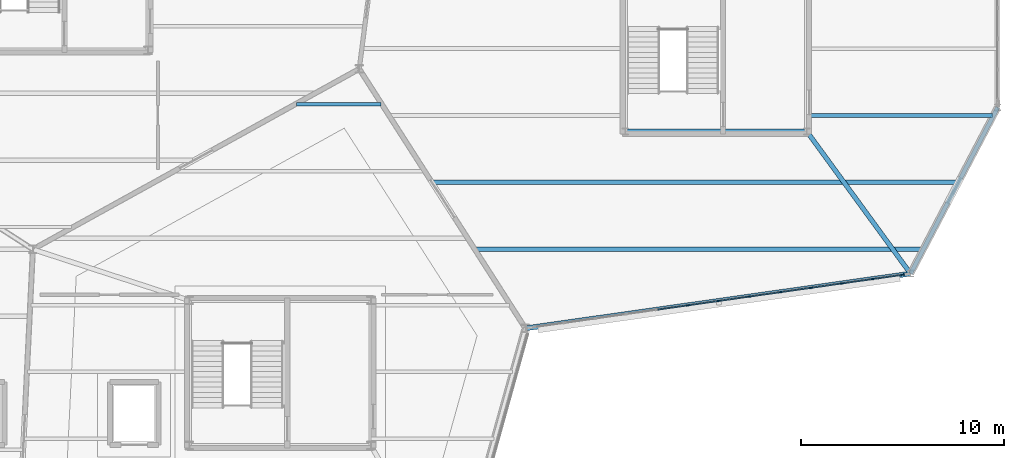
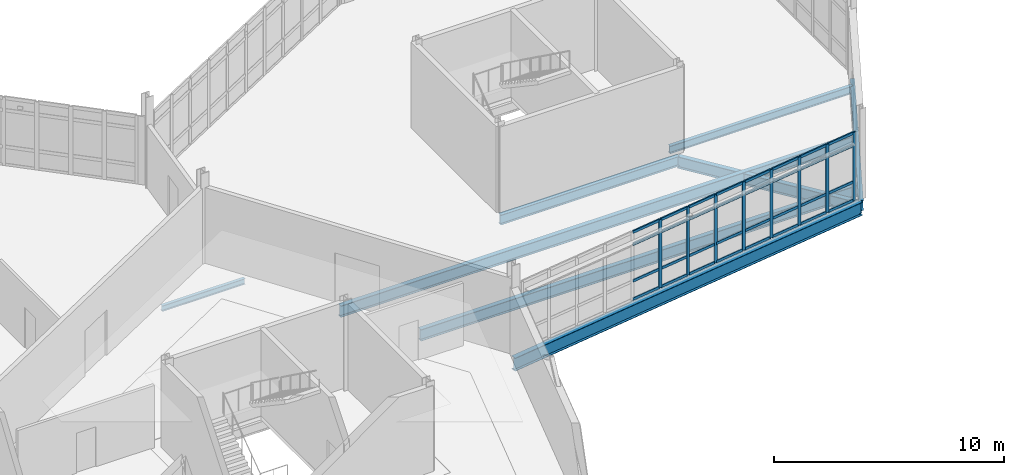
# One storey, part 77 of 134: 40 members, 8 beams, 1 element without a shape of its own.
"""IFC4 building model written with IfcOpenShell, lengths in metres."""

import ifcopenshell
import ifcopenshell.guid

model = None  # the IFC model being written
_history = None  # IfcOwnerHistory: only IFC2X3 demands one
_inside = {}  # id of a spatial element -> (the spatial element, [elements in it])
_under = {}  # id of a project, library or spatial element -> (it, [spatial elements below it])
_declared = {}  # id of a project -> (the project, [libraries it declares])
_typed = {}  # id of a type object -> (the type object, [elements of that type])
_made_of = {}  # id of a material, layer set ... -> (it, [elements and type objects made of it])


def new_model(schema):
    """Start an empty IFC model of exactly this schema.

    Asked for "IFC4X3", IfcOpenShell would pick the latest addendum, in which some entities
    have other attributes; the version numbers below select the first issue.
    IFC2X3 requires an IfcOwnerHistory on every rooted entity: one is made here for all.
    """
    global model, _history
    if schema == "IFC4X3":
        model = ifcopenshell.file(schema_version=(4, 3, 0, 0))
    else:
        model = ifcopenshell.file(schema=schema)
    _inside.clear()
    _under.clear()
    _declared.clear()
    _typed.clear()
    _made_of.clear()
    _history = None
    if model.schema == "IFC2X3":
        org = make("IfcOrganization", Name="unknown")
        user = make(
            "IfcPersonAndOrganization",
            ThePerson=make("IfcPerson", FamilyName="unknown"),
            TheOrganization=org,
        )
        app = make(
            "IfcApplication",
            ApplicationDeveloper=org,
            Version="unknown",
            ApplicationFullName="unknown",
            ApplicationIdentifier="unknown",
        )
        _history = make(
            "IfcOwnerHistory",
            OwningUser=user,
            OwningApplication=app,
            ChangeAction="ADDED",
            CreationDate=0,
        )
    return model


def make(cls, **values):
    """One entity of the class cls with the attributes given. An attribute that is None is left unset."""
    return model.create_entity(
        cls, **{name: value for name, value in values.items() if value is not None}
    )


def rooted(cls, **values):
    """An entity with a GlobalId (a new one), such as an element, a storey or a relation."""
    return make(cls, GlobalId=ifcopenshell.guid.new(), OwnerHistory=_history, **values)


def si_unit(unit_type, name, prefix=None):
    """IfcSIUnit, for example si_unit("LENGTHUNIT", "METRE", prefix="MILLI")."""
    return make("IfcSIUnit", UnitType=unit_type, Prefix=prefix, Name=name)


def assignment(units):
    """IfcUnitAssignment: the units of a project."""
    return None if units is None else make("IfcUnitAssignment", Units=units)


def point(xyz):
    """IfcCartesianPoint."""
    return None if xyz is None else make("IfcCartesianPoint", Coordinates=xyz)


def direction(xyz):
    """IfcDirection."""
    return None if xyz is None else make("IfcDirection", DirectionRatios=xyz)


def frame(location, z_axis=None, x_axis=None):
    """IfcAxis2Placement3D, a coordinate frame: its origin and axes. An axis left out is left unset."""
    return make(
        "IfcAxis2Placement3D",
        Location=point(location),
        Axis=direction(z_axis),
        RefDirection=direction(x_axis),
    )


def frame_2d(location, x_axis=None):
    """IfcAxis2Placement2D, a coordinate frame in the plane: its origin and x axis."""
    return make(
        "IfcAxis2Placement2D", Location=point(location), RefDirection=direction(x_axis)
    )


def origin():
    """The frame at (0, 0, 0) with its axes left unset."""
    return frame((0.0, 0.0, 0.0))


def origin_2d():
    """The frame at (0, 0) in the plane with its x axis left unset."""
    return frame_2d((0.0, 0.0))


def place(relative_to, where):
    """IfcLocalPlacement: puts the frame where relative to a parent placement (None: the world)."""
    return make(
        "IfcLocalPlacement", PlacementRelTo=relative_to, RelativePlacement=where
    )


def context(
    kind, dimensions, precision=None, world=None, true_north=None, identifier=None
):
    """IfcGeometricRepresentationContext, for example the 3D "Model" context."""
    return make(
        "IfcGeometricRepresentationContext",
        ContextIdentifier=identifier,
        ContextType=kind,
        CoordinateSpaceDimension=dimensions,
        Precision=precision,
        WorldCoordinateSystem=world,
        TrueNorth=true_north,
    )


def subcontext(parent, identifier, kind, view, scale=None):
    """IfcGeometricRepresentationSubContext, for example "Body" below "Model"."""
    return make(
        "IfcGeometricRepresentationSubContext",
        ContextIdentifier=identifier,
        ContextType=kind,
        ParentContext=parent,
        TargetScale=scale,
        TargetView=view,
    )


def project(units=None, contexts=None):
    """IfcProject with its units and contexts."""
    return rooted(
        "IfcProject",
        Name="project",
        RepresentationContexts=contexts,
        UnitsInContext=assignment(units),
    )


def spatial(cls, under=None, at=None, **own):
    """A site, building, storey or space (cls), placed at a placement, below another one or the project."""
    s = rooted(cls, ObjectPlacement=at, **own)
    if under is not None:
        _under.setdefault(under.id(), (under, []))[1].append(s)
    return s


def profile(cls, at=None, kind="AREA", **sizes):
    """A parametric profile (cls). Its sizes go by their IFC names, for example OverallWidth=200.0."""
    return make(cls, ProfileType=kind, Position=at, **sizes)


def rectangle(**sizes):
    """IfcRectangleProfileDef."""
    return profile("IfcRectangleProfileDef", **sizes)


def i_section(**sizes):
    """IfcIShapeProfileDef."""
    return profile("IfcIShapeProfileDef", **sizes)


def extrude(swept, where, along, depth):
    """IfcExtrudedAreaSolid: the profile swept, set in the frame where, extruded along a direction by depth."""
    return make(
        "IfcExtrudedAreaSolid",
        SweptArea=swept,
        Position=where,
        ExtrudedDirection=direction(along),
        Depth=depth,
    )


def shape(context_of_items, identifier, shape_type, items):
    """IfcShapeRepresentation: the items that make up one representation, for example the "Body"."""
    return make(
        "IfcShapeRepresentation",
        ContextOfItems=context_of_items,
        RepresentationIdentifier=identifier,
        RepresentationType=shape_type,
        Items=items,
    )


def material(Name=None, Category=None):
    """IfcMaterial."""
    return make("IfcMaterial", Name=Name, Category=Category)


def material_profile(
    of_material, cross_section, Name=None, Category=None, Priority=None
):
    """IfcMaterialProfile: a cross section and its material."""
    return make(
        "IfcMaterialProfile",
        Name=Name,
        Material=of_material,
        Profile=cross_section,
        Priority=Priority,
        Category=Category,
    )


def profile_set(profiles, Name=None, composite=None):
    """IfcMaterialProfileSet."""
    return make(
        "IfcMaterialProfileSet",
        Name=Name,
        MaterialProfiles=profiles,
        CompositeProfile=composite,
    )


def made_of(thing, what):
    """Note that an element or type object is made of a material, layer set ...; save() writes the relation."""
    if what is not None:
        _made_of.setdefault(what.id(), (what, []))[1].append(thing)
    return thing


def type_object(cls, material=None, **own):
    """A type object (cls), such as IfcWallType, which elements share."""
    return made_of(rooted(cls, **own), material)


def element(
    cls,
    number,
    at=None,
    inside=None,
    cuts=None,
    type_object=None,
    material=None,
    context=None,
    identifier="Body",
    shape_type=None,
    held_by="IfcProductDefinitionShape",
    body=None,
    shapes=None,
    **own,
):
    """One element of the class cls, such as IfcWall. Its Tag is "e" and its number.

    at: its placement. inside: the storey or other place that contains it. cuts: it is an
    opening in that element (IfcRelVoidsElement). A single representation is given by context,
    identifier, shape_type and body (its items); several are given by shapes. held_by: the class
    of the entity that holds the representations. save() writes the other relations.
    """
    e = rooted(cls, Tag="e%d" % number, ObjectPlacement=at, **own)
    if body is not None:
        shapes = [shape(context, identifier, shape_type, body)]
    if shapes is not None:
        e.Representation = make(held_by, Representations=shapes)
    if inside is not None:
        _inside.setdefault(inside.id(), (inside, []))[1].append(e)
    if cuts is not None:
        rooted(
            "IfcRelVoidsElement", RelatingBuildingElement=cuts, RelatedOpeningElement=e
        )
    if type_object is not None:
        _typed.setdefault(type_object.id(), (type_object, []))[1].append(e)
    return made_of(e, material)


def aggregate(whole, parts):
    """IfcRelAggregates: a whole, such as a stair, and the parts it consists of."""
    return rooted("IfcRelAggregates", RelatingObject=whole, RelatedObjects=parts)


def save(model, path):
    """Write the relations noted so far, then the file.

    IfcRelAggregates (storeys below a building ...), IfcRelContainedInSpatialStructure (elements
    in a storey), IfcRelDefinesByType, IfcRelAssociatesMaterial and IfcRelDeclares: one each for
    every whole, place, type object, material and project.
    """
    for whole, parts in _under.values():
        aggregate(whole, parts)
    for where, things in _inside.values():
        rooted(
            "IfcRelContainedInSpatialStructure",
            RelatedElements=things,
            RelatingStructure=where,
        )
    for kind, things in _typed.values():
        rooted("IfcRelDefinesByType", RelatedObjects=things, RelatingType=kind)
    for what, things in _made_of.values():
        rooted("IfcRelAssociatesMaterial", RelatedObjects=things, RelatingMaterial=what)
    for by, libraries in _declared.values():
        rooted("IfcRelDeclares", RelatingContext=by, RelatedDefinitions=libraries)
    model.write(path)


model = new_model("IFC4")

# Units and contexts
model_context = context("Model", 3, precision=1e-05, world=origin(), true_north=direction((0.0, 1.0)))
body_context = subcontext(model_context, "Body", "Model", "MODEL_VIEW")
ifc_project = project(units=[si_unit("LENGTHUNIT", "METRE"), si_unit("AREAUNIT", "SQUARE_METRE"), si_unit("VOLUMEUNIT", "CUBIC_METRE"), si_unit("PLANEANGLEUNIT", "RADIAN"), si_unit("MASSUNIT", "GRAM", prefix="KILO")], contexts=[model_context])

# Site, building, storey
site_placement = place(None, origin())
site = spatial("IfcSite", under=ifc_project, at=site_placement, CompositionType="ELEMENT")
building_placement = place(site_placement, origin())
building = spatial("IfcBuilding", under=site, at=building_placement, Name="Tameran Prism Museum", CompositionType="ELEMENT")
storey_placement = place(building_placement, frame((0.0, 0.0, 5.39990234375)))
storey = spatial("IfcBuildingStorey", under=building, at=storey_placement, Name="L01", CompositionType="ELEMENT", Elevation=5.39990234375)

# Beams
ifc_material_1 = material(Name="Steel Grade 300PLUS (300 MPa)", Category="steel")
ifc_material_profile_1 = material_profile(ifc_material_1, i_section(OverallWidth=0.1650390625, OverallDepth=0.303955078125, WebThickness=0.006103515625, FlangeThickness=0.01025390625, FilletRadius=0.011474609375, at=origin_2d()))
ifc_profile_set_1 = profile_set([ifc_material_profile_1])
beam_type_1 = type_object("IfcBeamType", Name="BM-J310B", PredefinedType="JOIST", material=ifc_profile_set_1)
beam_1_placement = place(storey_placement, frame((131.81689453125, 96.25, -0.351806640625), z_axis=(1.0, 0.0, 0.0), x_axis=(0.0, 1.0, 0.0)))
element("IfcBeam", 1, at=beam_1_placement, inside=storey, type_object=beam_type_1, Name="Floor Beam BM-0520", PredefinedType="JOIST", context=body_context, shape_type="SweptSolid", body=[
    extrude(i_section(OverallWidth=0.1650390625, OverallDepth=0.303955078125, WebThickness=0.006103515625, FlangeThickness=0.01025390625, FilletRadius=0.011474609375, at=origin_2d()), origin(), (0.0, 0.0, 1.0), 4.1572265625),
])
ifc_material_2 = material(Name="Steel Grade 300PLUS (300 MPa)", Category="steel")
ifc_material_profile_2 = material_profile(ifc_material_2, i_section(OverallWidth=0.177978515625, OverallDepth=0.403076171875, WebThickness=0.007568359375, FlangeThickness=0.010986328125, FilletRadius=0.011474609375, at=origin_2d()))
ifc_profile_set_2 = profile_set([ifc_material_profile_2])
beam_type_2 = type_object("IfcBeamType", Name="BM-J410B", PredefinedType="JOIST", material=ifc_profile_set_2)
beam_2_placement = place(storey_placement, frame((156.97998046875, 95.699951171875, -0.4013671875), z_axis=(1.0, 0.0, 0.0), x_axis=(0.0, 1.0, 0.0)))
element("IfcBeam", 2, at=beam_2_placement, inside=storey, type_object=beam_type_2, Name="Floor Beam BM-0533", PredefinedType="JOIST", context=body_context, shape_type="SweptSolid", body=[
    extrude(i_section(OverallWidth=0.177978515625, OverallDepth=0.403076171875, WebThickness=0.007568359375, FlangeThickness=0.010986328125, FilletRadius=0.011474609375, at=origin_2d()), origin(), (0.0, 0.0, 1.0), 9.1650390625),
])
ifc_material_3 = material(Name="Steel Grade 300PLUS (300 MPa)", Category="steel")
ifc_material_profile_3 = material_profile(ifc_material_3, i_section(OverallWidth=0.208984375, OverallDepth=0.532958984375, WebThickness=0.01025390625, FlangeThickness=0.015625, FilletRadius=0.013916015625, at=origin_2d()))
ifc_profile_set_3 = profile_set([ifc_material_profile_3])
beam_type_3 = type_object("IfcBeamType", Name="BM-SP530A", PredefinedType="SPANDREL", material=ifc_profile_set_3)
beam_3_placement = place(storey_placement, frame((162.10009765625, 87.89990234375, -0.46630859375), z_axis=(0.464385293852, 0.885633275602, 0.0), x_axis=(-0.885633275602, 0.464385293852, 0.0)))
element("IfcBeam", 3, at=beam_3_placement, inside=storey, type_object=beam_type_3, Name="Perimeter Spandrel SP-0341", PredefinedType="SPANDREL", context=body_context, shape_type="SweptSolid", body=[
    extrude(i_section(OverallWidth=0.208984375, OverallDepth=0.532958984375, WebThickness=0.01025390625, FlangeThickness=0.015625, FilletRadius=0.013916015625, at=origin_2d()), origin(), (0.0, 0.0, 1.0), 9.259033203125),
])
ifc_material_4 = material(Name="Steel Grade 300PLUS (300 MPa)", Category="steel")
ifc_material_profile_4 = material_profile(ifc_material_4, i_section(OverallWidth=0.208984375, OverallDepth=0.528076171875, WebThickness=0.009521484375, FlangeThickness=0.01318359375, FilletRadius=0.013916015625, at=origin_2d()))
ifc_profile_set_4 = profile_set([ifc_material_profile_4])
beam_type_4 = type_object("IfcBeamType", Name="BM-SP530B", PredefinedType="SPANDREL", material=ifc_profile_set_4)
beam_4_placement = place(storey_placement, frame((148.02001953125, 94.919921875, -0.50390625), z_axis=(1.0, 0.0, 0.0), x_axis=(0.0, 1.0, 0.0)))
element("IfcBeam", 4, at=beam_4_placement, inside=storey, type_object=beam_type_4, Name="Core Ring Beam CTB-0478", PredefinedType="SPANDREL", context=body_context, shape_type="SweptSolid", body=[
    extrude(i_section(OverallWidth=0.208984375, OverallDepth=0.528076171875, WebThickness=0.009521484375, FlangeThickness=0.01318359375, FilletRadius=0.013916015625, at=origin_2d()), origin(), (0.0, 0.0, 1.0), 8.9599609375),
])
ifc_material_5 = material(Name="Steel Grade 350 (350 MPa)", Category="steel")
ifc_material_profile_5 = material_profile(ifc_material_5, i_section(OverallWidth=0.25, OverallDepth=0.699951171875, WebThickness=0.010009765625, FlangeThickness=0.02001953125, at=origin_2d()))
ifc_profile_set_5 = profile_set([ifc_material_profile_5])
beam_type_5 = type_object("IfcBeamType", Name="BM-SP700", PredefinedType="SPANDREL", material=ifc_profile_set_5)
beam_5_placement = place(storey_placement, frame((143.10009765625, 85.199951171875, -0.5498046875), z_axis=(0.990053795421, 0.140689310798, 0.0), x_axis=(-0.140689310798, 0.990053795421, 0.0)))
element("IfcBeam", 5, at=beam_5_placement, inside=storey, type_object=beam_type_5, Name="Perimeter Spandrel SP-0340", PredefinedType="SPANDREL", context=body_context, shape_type="SweptSolid", body=[
    extrude(i_section(OverallWidth=0.25, OverallDepth=0.699951171875, WebThickness=0.010009765625, FlangeThickness=0.02001953125, at=origin_2d()), origin(), (0.0, 0.0, 1.0), 19.19091796875),
])
ifc_material_6 = material(Name="Steel Grade 300PLUS (300 MPa)", Category="steel")
ifc_material_profile_6 = material_profile(ifc_material_6, i_section(OverallWidth=0.22900390625, OverallDepth=0.612060546875, WebThickness=0.011962890625, FlangeThickness=0.01953125, FilletRadius=0.013916015625, at=origin_2d()))
ifc_profile_set_6 = profile_set([ifc_material_profile_6])
beam_type_6 = type_object("IfcBeamType", Name="BM-UB610A", PredefinedType="BEAM", material=ifc_profile_set_6)
beam_6_placement = place(storey_placement, frame((156.97998046875, 94.919921875, -0.559814453125), z_axis=(0.589273812412, -0.807933397011, 0.0), x_axis=(0.807933397011, 0.589273812412, 0.0)))
element("IfcBeam", 6, at=beam_6_placement, inside=storey, type_object=beam_type_6, Name="Frame Tie Girder FG-1429", PredefinedType="BEAM", context=body_context, shape_type="SweptSolid", body=[
    extrude(i_section(OverallWidth=0.22900390625, OverallDepth=0.612060546875, WebThickness=0.011962890625, FlangeThickness=0.01953125, FilletRadius=0.013916015625, at=origin_2d()), origin(), (0.0, 0.0, 1.0), 8.68896484375),
])
ifc_material_7 = material(Name="Steel Grade 300PLUS (300 MPa)", Category="steel")
ifc_material_profile_7 = material_profile(ifc_material_7, i_section(OverallWidth=0.22802734375, OverallDepth=0.60693359375, WebThickness=0.01123046875, FlangeThickness=0.017333984375, FilletRadius=0.013916015625, at=origin_2d()))
ifc_profile_set_7 = profile_set([ifc_material_profile_7])
beam_type_7 = type_object("IfcBeamType", Name="BM-UB610B", PredefinedType="BEAM", material=ifc_profile_set_7)
beam_7_placement = place(storey_placement, frame((140.64892578125, 89.10009765625, -0.50341796875), z_axis=(1.0, 0.0, 0.0), x_axis=(0.0, 1.0, 0.0)))
element("IfcBeam", 7, at=beam_7_placement, inside=storey, type_object=beam_type_7, Name="Floor Beam BM-0530", PredefinedType="BEAM", context=body_context, shape_type="SweptSolid", body=[
    extrude(i_section(OverallWidth=0.22802734375, OverallDepth=0.60693359375, WebThickness=0.01123046875, FlangeThickness=0.017333984375, FilletRadius=0.013916015625, at=origin_2d()), origin(), (0.0, 0.0, 1.0), 22.03515625),
])
beam_8_placement = place(storey_placement, frame((138.534912109375, 92.39990234375, -0.50341796875), z_axis=(1.0, 0.0, 0.0), x_axis=(0.0, 1.0, 0.0)))
element("IfcBeam", 8, at=beam_8_placement, inside=storey, type_object=beam_type_7, Name="Floor Beam BM-0531", PredefinedType="BEAM", context=body_context, shape_type="SweptSolid", body=[
    extrude(i_section(OverallWidth=0.22802734375, OverallDepth=0.60693359375, WebThickness=0.01123046875, FlangeThickness=0.017333984375, FilletRadius=0.013916015625, at=origin_2d()), origin(), (0.0, 0.0, 1.0), 25.880126953125),
])

# Curtain wall, members
ifc_material_8 = material(Name="Anodised Aluminium 6063-T6 and Cyclone Solar Glass", Category="aluminium")
curtain_wall_type = type_object("IfcCurtainWallType", Name="CW-FAC-1843x362", PredefinedType="USERDEFINED", material=ifc_material_8)
curtain_wall_placement = place(storey_placement, origin())
curtain_wall = element("IfcCurtainWall", 9, at=curtain_wall_placement, inside=storey, type_object=curtain_wall_type, Name="Unitised Curtain Wall CW-059", ObjectType="UNITISED CURTAIN WALL", PredefinedType="USERDEFINED")
ifc_material_9 = material(Name="Anodised Aluminium Alloy 6063-T6", Category="aluminium")
ifc_material_profile_8 = material_profile(ifc_material_9, rectangle(XDim=0.06494140625, YDim=0.159912109375, at=origin_2d()))
ifc_profile_set_8 = profile_set([ifc_material_profile_8])
member_type_1 = type_object("IfcMemberType", Name="CW-MUL-A", PredefinedType="MULLION", material=ifc_profile_set_8)
member_1_placement = place(storey_placement, frame((161.720703125, 87.846435546875, 0.0), z_axis=(0.0, 0.0, 1.0), x_axis=(0.1407452685, -0.990045842067, 0.0)))
member_1 = element("IfcMember", 10, at=member_1_placement, type_object=member_type_1, Name="CW-059 mullion 1", PredefinedType="MULLION", context=body_context, shape_type="SweptSolid", body=[
    extrude(rectangle(XDim=0.06494140625, YDim=0.159912109375, at=origin_2d()), origin(), (0.0, 0.0, 1.0), 3.6201171875),
])
member_2_placement = place(storey_placement, frame((160.232421875, 87.634765625, 0.0), z_axis=(0.0, 0.0, 1.0), x_axis=(0.1407452685, -0.990045842067, 0.0)))
member_2 = element("IfcMember", 11, at=member_2_placement, type_object=member_type_1, Name="CW-059 mullion 2", PredefinedType="MULLION", context=body_context, shape_type="SweptSolid", body=[
    extrude(rectangle(XDim=0.06494140625, YDim=0.159912109375, at=origin_2d()), origin(), (0.0, 0.0, 1.0), 3.6201171875),
])
member_3_placement = place(storey_placement, frame((158.7119140625, 87.418701171875, 0.0), z_axis=(0.0, 0.0, 1.0), x_axis=(0.1407452685, -0.990045842067, 0.0)))
member_3 = element("IfcMember", 12, at=member_3_placement, type_object=member_type_1, Name="CW-059 mullion 3", PredefinedType="MULLION", context=body_context, shape_type="SweptSolid", body=[
    extrude(rectangle(XDim=0.06494140625, YDim=0.159912109375, at=origin_2d()), origin(), (0.0, 0.0, 1.0), 3.6201171875),
])
member_4_placement = place(storey_placement, frame((157.191162109375, 87.202392578125, 0.0), z_axis=(0.0, 0.0, 1.0), x_axis=(0.1407452685, -0.990045842067, 0.0)))
member_4 = element("IfcMember", 13, at=member_4_placement, type_object=member_type_1, Name="CW-059 mullion 4", PredefinedType="MULLION", context=body_context, shape_type="SweptSolid", body=[
    extrude(rectangle(XDim=0.06494140625, YDim=0.159912109375, at=origin_2d()), origin(), (0.0, 0.0, 1.0), 3.6201171875),
])
member_5_placement = place(storey_placement, frame((155.670654296875, 86.986328125, 0.0), z_axis=(0.0, 0.0, 1.0), x_axis=(0.1407452685, -0.990045842067, 0.0)))
member_5 = element("IfcMember", 14, at=member_5_placement, type_object=member_type_1, Name="CW-059 mullion 5", PredefinedType="MULLION", context=body_context, shape_type="SweptSolid", body=[
    extrude(rectangle(XDim=0.06494140625, YDim=0.159912109375, at=origin_2d()), origin(), (0.0, 0.0, 1.0), 3.6201171875),
])
member_6_placement = place(storey_placement, frame((154.150146484375, 86.770263671875, 0.0), z_axis=(0.0, 0.0, 1.0), x_axis=(0.1407452685, -0.990045842067, 0.0)))
member_6 = element("IfcMember", 15, at=member_6_placement, type_object=member_type_1, Name="CW-059 mullion 6", PredefinedType="MULLION", context=body_context, shape_type="SweptSolid", body=[
    extrude(rectangle(XDim=0.06494140625, YDim=0.159912109375, at=origin_2d()), origin(), (0.0, 0.0, 1.0), 3.6201171875),
])
member_7_placement = place(storey_placement, frame((152.62939453125, 86.553955078125, 0.0), z_axis=(0.0, 0.0, 1.0), x_axis=(0.1407452685, -0.990045842067, 0.0)))
member_7 = element("IfcMember", 16, at=member_7_placement, type_object=member_type_1, Name="CW-059 mullion 7", PredefinedType="MULLION", context=body_context, shape_type="SweptSolid", body=[
    extrude(rectangle(XDim=0.06494140625, YDim=0.159912109375, at=origin_2d()), origin(), (0.0, 0.0, 1.0), 3.6201171875),
])
member_8_placement = place(storey_placement, frame((151.10888671875, 86.337890625, 0.0), z_axis=(0.0, 0.0, 1.0), x_axis=(0.1407452685, -0.990045842067, 0.0)))
member_8 = element("IfcMember", 17, at=member_8_placement, type_object=member_type_1, Name="CW-059 mullion 8", PredefinedType="MULLION", context=body_context, shape_type="SweptSolid", body=[
    extrude(rectangle(XDim=0.06494140625, YDim=0.159912109375, at=origin_2d()), origin(), (0.0, 0.0, 1.0), 3.6201171875),
])
ifc_material_10 = material(Name="Anodised Aluminium Alloy 6063-T6", Category="aluminium")
ifc_material_profile_9 = material_profile(ifc_material_10, rectangle(XDim=0.06494140625, YDim=0.139892578125, at=origin_2d()))
ifc_profile_set_9 = profile_set([ifc_material_profile_9])
member_type_2 = type_object("IfcMemberType", Name="CW-TRN-A", PredefinedType="USERDEFINED", material=ifc_profile_set_9)
member_9_placement = place(storey_placement, frame((161.688720703125, 87.841796875, 0.03271484375), z_axis=(-0.990051076629, -0.140708442058, 0.0), x_axis=(0.140708442058, -0.990051076629, 0.0)))
member_9 = element("IfcMember", 18, at=member_9_placement, type_object=member_type_2, Name="CW-059 transom 1.1", ObjectType="TRANSOM", PredefinedType="USERDEFINED", context=body_context, shape_type="SweptSolid", body=[
    extrude(rectangle(XDim=0.06494140625, YDim=0.139892578125, at=origin_2d()), origin(), (0.0, 0.0, 1.0), 1.4384765625),
])
member_10_placement = place(storey_placement, frame((161.688720703125, 87.841796875, 1.0), z_axis=(-0.990051076629, -0.140708442058, 0.0), x_axis=(0.140708442058, -0.990051076629, 0.0)))
member_10 = element("IfcMember", 19, at=member_10_placement, type_object=member_type_2, Name="CW-059 transom 1.2", ObjectType="TRANSOM", PredefinedType="USERDEFINED", context=body_context, shape_type="SweptSolid", body=[
    extrude(rectangle(XDim=0.06494140625, YDim=0.139892578125, at=origin_2d()), origin(), (0.0, 0.0, 1.0), 1.4384765625),
])
member_11_placement = place(storey_placement, frame((161.688720703125, 87.841796875, 2.940185546875), z_axis=(-0.990051076629, -0.140708442058, 0.0), x_axis=(0.140708442058, -0.990051076629, 0.0)))
member_11 = element("IfcMember", 20, at=member_11_placement, type_object=member_type_2, Name="CW-059 transom 1.3", ObjectType="TRANSOM", PredefinedType="USERDEFINED", context=body_context, shape_type="SweptSolid", body=[
    extrude(rectangle(XDim=0.06494140625, YDim=0.139892578125, at=origin_2d()), origin(), (0.0, 0.0, 1.0), 1.4384765625),
])
member_12_placement = place(storey_placement, frame((161.688720703125, 87.841796875, 3.587646484375), z_axis=(-0.990051076629, -0.140708442058, 0.0), x_axis=(0.140708442058, -0.990051076629, 0.0)))
member_12 = element("IfcMember", 21, at=member_12_placement, type_object=member_type_2, Name="CW-059 transom 1.4", ObjectType="TRANSOM", PredefinedType="USERDEFINED", context=body_context, shape_type="SweptSolid", body=[
    extrude(rectangle(XDim=0.06494140625, YDim=0.139892578125, at=origin_2d()), origin(), (0.0, 0.0, 1.0), 1.4384765625),
])
member_13_placement = place(storey_placement, frame((160.2001953125, 87.63037109375, 0.03271484375), z_axis=(-0.990045530264, -0.140747461804, 0.0), x_axis=(0.140747461804, -0.990045530264, 0.0)))
member_13 = element("IfcMember", 22, at=member_13_placement, type_object=member_type_2, Name="CW-059 transom 2.1", ObjectType="TRANSOM", PredefinedType="USERDEFINED", context=body_context, shape_type="SweptSolid", body=[
    extrude(rectangle(XDim=0.06494140625, YDim=0.139892578125, at=origin_2d()), origin(), (0.0, 0.0, 1.0), 1.470947265625),
])
member_14_placement = place(storey_placement, frame((160.2001953125, 87.63037109375, 1.0), z_axis=(-0.990045530264, -0.140747461804, 0.0), x_axis=(0.140747461804, -0.990045530264, 0.0)))
member_14 = element("IfcMember", 23, at=member_14_placement, type_object=member_type_2, Name="CW-059 transom 2.2", ObjectType="TRANSOM", PredefinedType="USERDEFINED", context=body_context, shape_type="SweptSolid", body=[
    extrude(rectangle(XDim=0.06494140625, YDim=0.139892578125, at=origin_2d()), origin(), (0.0, 0.0, 1.0), 1.470947265625),
])
member_15_placement = place(storey_placement, frame((160.2001953125, 87.63037109375, 2.940185546875), z_axis=(-0.990045530264, -0.140747461804, 0.0), x_axis=(0.140747461804, -0.990045530264, 0.0)))
member_15 = element("IfcMember", 24, at=member_15_placement, type_object=member_type_2, Name="CW-059 transom 2.3", ObjectType="TRANSOM", PredefinedType="USERDEFINED", context=body_context, shape_type="SweptSolid", body=[
    extrude(rectangle(XDim=0.06494140625, YDim=0.139892578125, at=origin_2d()), origin(), (0.0, 0.0, 1.0), 1.470947265625),
])
member_16_placement = place(storey_placement, frame((160.2001953125, 87.63037109375, 3.587646484375), z_axis=(-0.990045530264, -0.140747461804, 0.0), x_axis=(0.140747461804, -0.990045530264, 0.0)))
member_16 = element("IfcMember", 25, at=member_16_placement, type_object=member_type_2, Name="CW-059 transom 2.4", ObjectType="TRANSOM", PredefinedType="USERDEFINED", context=body_context, shape_type="SweptSolid", body=[
    extrude(rectangle(XDim=0.06494140625, YDim=0.139892578125, at=origin_2d()), origin(), (0.0, 0.0, 1.0), 1.470947265625),
])
member_17_placement = place(storey_placement, frame((158.6796875, 87.4140625, 0.03271484375), z_axis=(-0.990045530264, -0.140747461804, 0.0), x_axis=(0.140747461804, -0.990045530264, 0.0)))
member_17 = element("IfcMember", 26, at=member_17_placement, type_object=member_type_2, Name="CW-059 transom 3.1", ObjectType="TRANSOM", PredefinedType="USERDEFINED", context=body_context, shape_type="SweptSolid", body=[
    extrude(rectangle(XDim=0.06494140625, YDim=0.139892578125, at=origin_2d()), origin(), (0.0, 0.0, 1.0), 1.470947265625),
])
member_18_placement = place(storey_placement, frame((158.6796875, 87.4140625, 1.0), z_axis=(-0.990045530264, -0.140747461804, 0.0), x_axis=(0.140747461804, -0.990045530264, 0.0)))
member_18 = element("IfcMember", 27, at=member_18_placement, type_object=member_type_2, Name="CW-059 transom 3.2", ObjectType="TRANSOM", PredefinedType="USERDEFINED", context=body_context, shape_type="SweptSolid", body=[
    extrude(rectangle(XDim=0.06494140625, YDim=0.139892578125, at=origin_2d()), origin(), (0.0, 0.0, 1.0), 1.470947265625),
])
member_19_placement = place(storey_placement, frame((158.6796875, 87.4140625, 2.940185546875), z_axis=(-0.990045530264, -0.140747461804, 0.0), x_axis=(0.140747461804, -0.990045530264, 0.0)))
member_19 = element("IfcMember", 28, at=member_19_placement, type_object=member_type_2, Name="CW-059 transom 3.3", ObjectType="TRANSOM", PredefinedType="USERDEFINED", context=body_context, shape_type="SweptSolid", body=[
    extrude(rectangle(XDim=0.06494140625, YDim=0.139892578125, at=origin_2d()), origin(), (0.0, 0.0, 1.0), 1.470947265625),
])
member_20_placement = place(storey_placement, frame((158.6796875, 87.4140625, 3.587646484375), z_axis=(-0.990045530264, -0.140747461804, 0.0), x_axis=(0.140747461804, -0.990045530264, 0.0)))
member_20 = element("IfcMember", 29, at=member_20_placement, type_object=member_type_2, Name="CW-059 transom 3.4", ObjectType="TRANSOM", PredefinedType="USERDEFINED", context=body_context, shape_type="SweptSolid", body=[
    extrude(rectangle(XDim=0.06494140625, YDim=0.139892578125, at=origin_2d()), origin(), (0.0, 0.0, 1.0), 1.470947265625),
])
member_21_placement = place(storey_placement, frame((157.1591796875, 87.197998046875, 0.03271484375), z_axis=(-0.990045530264, -0.140747461804, 0.0), x_axis=(0.140747461804, -0.990045530264, 0.0)))
member_21 = element("IfcMember", 30, at=member_21_placement, type_object=member_type_2, Name="CW-059 transom 4.1", ObjectType="TRANSOM", PredefinedType="USERDEFINED", context=body_context, shape_type="SweptSolid", body=[
    extrude(rectangle(XDim=0.06494140625, YDim=0.139892578125, at=origin_2d()), origin(), (0.0, 0.0, 1.0), 1.470947265625),
])
member_22_placement = place(storey_placement, frame((157.1591796875, 87.197998046875, 1.0), z_axis=(-0.990045530264, -0.140747461804, 0.0), x_axis=(0.140747461804, -0.990045530264, 0.0)))
member_22 = element("IfcMember", 31, at=member_22_placement, type_object=member_type_2, Name="CW-059 transom 4.2", ObjectType="TRANSOM", PredefinedType="USERDEFINED", context=body_context, shape_type="SweptSolid", body=[
    extrude(rectangle(XDim=0.06494140625, YDim=0.139892578125, at=origin_2d()), origin(), (0.0, 0.0, 1.0), 1.470947265625),
])
member_23_placement = place(storey_placement, frame((157.1591796875, 87.197998046875, 2.940185546875), z_axis=(-0.990045530264, -0.140747461804, 0.0), x_axis=(0.140747461804, -0.990045530264, 0.0)))
member_23 = element("IfcMember", 32, at=member_23_placement, type_object=member_type_2, Name="CW-059 transom 4.3", ObjectType="TRANSOM", PredefinedType="USERDEFINED", context=body_context, shape_type="SweptSolid", body=[
    extrude(rectangle(XDim=0.06494140625, YDim=0.139892578125, at=origin_2d()), origin(), (0.0, 0.0, 1.0), 1.470947265625),
])
member_24_placement = place(storey_placement, frame((157.1591796875, 87.197998046875, 3.587646484375), z_axis=(-0.990045530264, -0.140747461804, 0.0), x_axis=(0.140747461804, -0.990045530264, 0.0)))
member_24 = element("IfcMember", 33, at=member_24_placement, type_object=member_type_2, Name="CW-059 transom 4.4", ObjectType="TRANSOM", PredefinedType="USERDEFINED", context=body_context, shape_type="SweptSolid", body=[
    extrude(rectangle(XDim=0.06494140625, YDim=0.139892578125, at=origin_2d()), origin(), (0.0, 0.0, 1.0), 1.470947265625),
])
member_25_placement = place(storey_placement, frame((155.638427734375, 86.981689453125, 0.03271484375), z_axis=(-0.990042241498, -0.140770593694, 0.0), x_axis=(0.140770593694, -0.990042241498, 0.0)))
member_25 = element("IfcMember", 34, at=member_25_placement, type_object=member_type_2, Name="CW-059 transom 5.1", ObjectType="TRANSOM", PredefinedType="USERDEFINED", context=body_context, shape_type="SweptSolid", body=[
    extrude(rectangle(XDim=0.06494140625, YDim=0.139892578125, at=origin_2d()), origin(), (0.0, 0.0, 1.0), 1.470703125),
])
member_26_placement = place(storey_placement, frame((155.638427734375, 86.981689453125, 1.0), z_axis=(-0.990042241498, -0.140770593694, 0.0), x_axis=(0.140770593694, -0.990042241498, 0.0)))
member_26 = element("IfcMember", 35, at=member_26_placement, type_object=member_type_2, Name="CW-059 transom 5.2", ObjectType="TRANSOM", PredefinedType="USERDEFINED", context=body_context, shape_type="SweptSolid", body=[
    extrude(rectangle(XDim=0.06494140625, YDim=0.139892578125, at=origin_2d()), origin(), (0.0, 0.0, 1.0), 1.470703125),
])
member_27_placement = place(storey_placement, frame((155.638427734375, 86.981689453125, 2.940185546875), z_axis=(-0.990042241498, -0.140770593694, 0.0), x_axis=(0.140770593694, -0.990042241498, 0.0)))
member_27 = element("IfcMember", 36, at=member_27_placement, type_object=member_type_2, Name="CW-059 transom 5.3", ObjectType="TRANSOM", PredefinedType="USERDEFINED", context=body_context, shape_type="SweptSolid", body=[
    extrude(rectangle(XDim=0.06494140625, YDim=0.139892578125, at=origin_2d()), origin(), (0.0, 0.0, 1.0), 1.470703125),
])
member_28_placement = place(storey_placement, frame((155.638427734375, 86.981689453125, 3.587646484375), z_axis=(-0.990042241498, -0.140770593694, 0.0), x_axis=(0.140770593694, -0.990042241498, 0.0)))
member_28 = element("IfcMember", 37, at=member_28_placement, type_object=member_type_2, Name="CW-059 transom 5.4", ObjectType="TRANSOM", PredefinedType="USERDEFINED", context=body_context, shape_type="SweptSolid", body=[
    extrude(rectangle(XDim=0.06494140625, YDim=0.139892578125, at=origin_2d()), origin(), (0.0, 0.0, 1.0), 1.470703125),
])
member_29_placement = place(storey_placement, frame((154.117919921875, 86.765625, 0.03271484375), z_axis=(-0.990045530264, -0.140747461804, 0.0), x_axis=(0.140747461804, -0.990045530264, 0.0)))
member_29 = element("IfcMember", 38, at=member_29_placement, type_object=member_type_2, Name="CW-059 transom 6.1", ObjectType="TRANSOM", PredefinedType="USERDEFINED", context=body_context, shape_type="SweptSolid", body=[
    extrude(rectangle(XDim=0.06494140625, YDim=0.139892578125, at=origin_2d()), origin(), (0.0, 0.0, 1.0), 1.470947265625),
])
member_30_placement = place(storey_placement, frame((154.117919921875, 86.765625, 1.0), z_axis=(-0.990045530264, -0.140747461804, 0.0), x_axis=(0.140747461804, -0.990045530264, 0.0)))
member_30 = element("IfcMember", 39, at=member_30_placement, type_object=member_type_2, Name="CW-059 transom 6.2", ObjectType="TRANSOM", PredefinedType="USERDEFINED", context=body_context, shape_type="SweptSolid", body=[
    extrude(rectangle(XDim=0.06494140625, YDim=0.139892578125, at=origin_2d()), origin(), (0.0, 0.0, 1.0), 1.470947265625),
])
member_31_placement = place(storey_placement, frame((154.117919921875, 86.765625, 2.940185546875), z_axis=(-0.990045530264, -0.140747461804, 0.0), x_axis=(0.140747461804, -0.990045530264, 0.0)))
member_31 = element("IfcMember", 40, at=member_31_placement, type_object=member_type_2, Name="CW-059 transom 6.3", ObjectType="TRANSOM", PredefinedType="USERDEFINED", context=body_context, shape_type="SweptSolid", body=[
    extrude(rectangle(XDim=0.06494140625, YDim=0.139892578125, at=origin_2d()), origin(), (0.0, 0.0, 1.0), 1.470947265625),
])
member_32_placement = place(storey_placement, frame((154.117919921875, 86.765625, 3.587646484375), z_axis=(-0.990045530264, -0.140747461804, 0.0), x_axis=(0.140747461804, -0.990045530264, 0.0)))
member_32 = element("IfcMember", 41, at=member_32_placement, type_object=member_type_2, Name="CW-059 transom 6.4", ObjectType="TRANSOM", PredefinedType="USERDEFINED", context=body_context, shape_type="SweptSolid", body=[
    extrude(rectangle(XDim=0.06494140625, YDim=0.139892578125, at=origin_2d()), origin(), (0.0, 0.0, 1.0), 1.470947265625),
])
member_33_placement = place(storey_placement, frame((152.597412109375, 86.54931640625, 0.03271484375), z_axis=(-0.990068645563, -0.14058476828, 0.0), x_axis=(0.14058476828, -0.990068645563, 0.0)))
member_33 = element("IfcMember", 42, at=member_33_placement, type_object=member_type_2, Name="CW-059 transom 7.1", ObjectType="TRANSOM", PredefinedType="USERDEFINED", context=body_context, shape_type="SweptSolid", body=[
    extrude(rectangle(XDim=0.06494140625, YDim=0.139892578125, at=origin_2d()), origin(), (0.0, 0.0, 1.0), 1.470947265625),
])
member_34_placement = place(storey_placement, frame((152.597412109375, 86.54931640625, 1.0), z_axis=(-0.990068645563, -0.14058476828, 0.0), x_axis=(0.14058476828, -0.990068645563, 0.0)))
member_34 = element("IfcMember", 43, at=member_34_placement, type_object=member_type_2, Name="CW-059 transom 7.2", ObjectType="TRANSOM", PredefinedType="USERDEFINED", context=body_context, shape_type="SweptSolid", body=[
    extrude(rectangle(XDim=0.06494140625, YDim=0.139892578125, at=origin_2d()), origin(), (0.0, 0.0, 1.0), 1.470947265625),
])
member_35_placement = place(storey_placement, frame((152.597412109375, 86.54931640625, 2.940185546875), z_axis=(-0.990068645563, -0.14058476828, 0.0), x_axis=(0.14058476828, -0.990068645563, 0.0)))
member_35 = element("IfcMember", 44, at=member_35_placement, type_object=member_type_2, Name="CW-059 transom 7.3", ObjectType="TRANSOM", PredefinedType="USERDEFINED", context=body_context, shape_type="SweptSolid", body=[
    extrude(rectangle(XDim=0.06494140625, YDim=0.139892578125, at=origin_2d()), origin(), (0.0, 0.0, 1.0), 1.470947265625),
])
member_36_placement = place(storey_placement, frame((152.597412109375, 86.54931640625, 3.587646484375), z_axis=(-0.990068645563, -0.14058476828, 0.0), x_axis=(0.14058476828, -0.990068645563, 0.0)))
member_36 = element("IfcMember", 45, at=member_36_placement, type_object=member_type_2, Name="CW-059 transom 7.4", ObjectType="TRANSOM", PredefinedType="USERDEFINED", context=body_context, shape_type="SweptSolid", body=[
    extrude(rectangle(XDim=0.06494140625, YDim=0.139892578125, at=origin_2d()), origin(), (0.0, 0.0, 1.0), 1.470947265625),
])
member_37_placement = place(storey_placement, frame((151.07666015625, 86.333251953125, 0.03271484375), z_axis=(-0.990042241498, -0.140770593694, 0.0), x_axis=(0.140770593694, -0.990042241498, 0.0)))
member_37 = element("IfcMember", 46, at=member_37_placement, type_object=member_type_2, Name="CW-059 transom 8.1", ObjectType="TRANSOM", PredefinedType="USERDEFINED", context=body_context, shape_type="SweptSolid", body=[
    extrude(rectangle(XDim=0.06494140625, YDim=0.139892578125, at=origin_2d()), origin(), (0.0, 0.0, 1.0), 1.470703125),
])
member_38_placement = place(storey_placement, frame((151.07666015625, 86.333251953125, 1.0), z_axis=(-0.990042241498, -0.140770593694, 0.0), x_axis=(0.140770593694, -0.990042241498, 0.0)))
member_38 = element("IfcMember", 47, at=member_38_placement, type_object=member_type_2, Name="CW-059 transom 8.2", ObjectType="TRANSOM", PredefinedType="USERDEFINED", context=body_context, shape_type="SweptSolid", body=[
    extrude(rectangle(XDim=0.06494140625, YDim=0.139892578125, at=origin_2d()), origin(), (0.0, 0.0, 1.0), 1.470703125),
])
member_39_placement = place(storey_placement, frame((151.07666015625, 86.333251953125, 2.940185546875), z_axis=(-0.990042241498, -0.140770593694, 0.0), x_axis=(0.140770593694, -0.990042241498, 0.0)))
member_39 = element("IfcMember", 48, at=member_39_placement, type_object=member_type_2, Name="CW-059 transom 8.3", ObjectType="TRANSOM", PredefinedType="USERDEFINED", context=body_context, shape_type="SweptSolid", body=[
    extrude(rectangle(XDim=0.06494140625, YDim=0.139892578125, at=origin_2d()), origin(), (0.0, 0.0, 1.0), 1.470703125),
])
member_40_placement = place(storey_placement, frame((151.07666015625, 86.333251953125, 3.587646484375), z_axis=(-0.990042241498, -0.140770593694, 0.0), x_axis=(0.140770593694, -0.990042241498, 0.0)))
member_40 = element("IfcMember", 49, at=member_40_placement, type_object=member_type_2, Name="CW-059 transom 8.4", ObjectType="TRANSOM", PredefinedType="USERDEFINED", context=body_context, shape_type="SweptSolid", body=[
    extrude(rectangle(XDim=0.06494140625, YDim=0.139892578125, at=origin_2d()), origin(), (0.0, 0.0, 1.0), 1.470703125),
])
aggregate(curtain_wall, [member_1, member_2, member_3, member_4, member_5, member_6, member_7, member_8, member_9, member_10, member_11, member_12, member_13, member_14, member_15, member_16, member_17, member_18, member_19, member_20, member_21, member_22, member_23, member_24, member_25, member_26, member_27, member_28, member_29, member_30, member_31, member_32, member_33, member_34, member_35, member_36, member_37, member_38, member_39, member_40])

save(model, "model.ifc")
